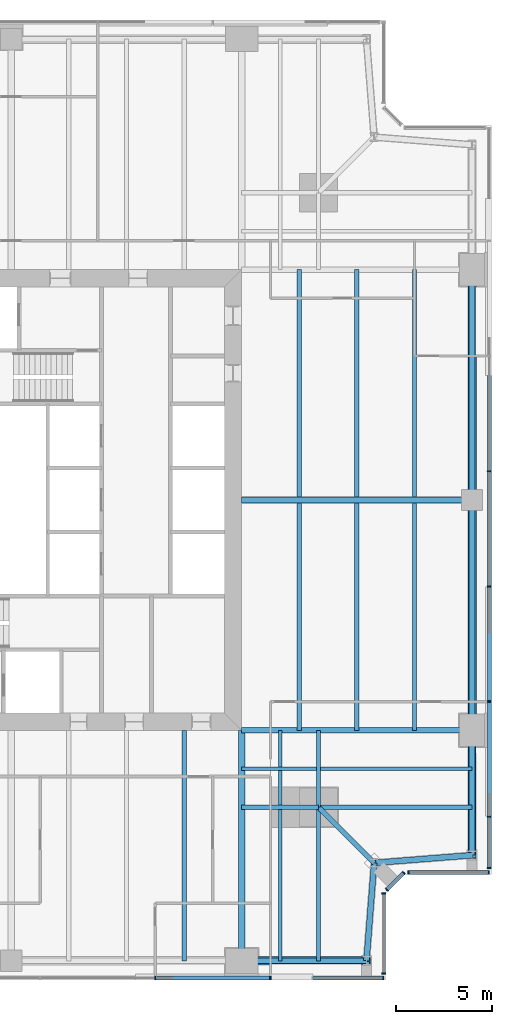
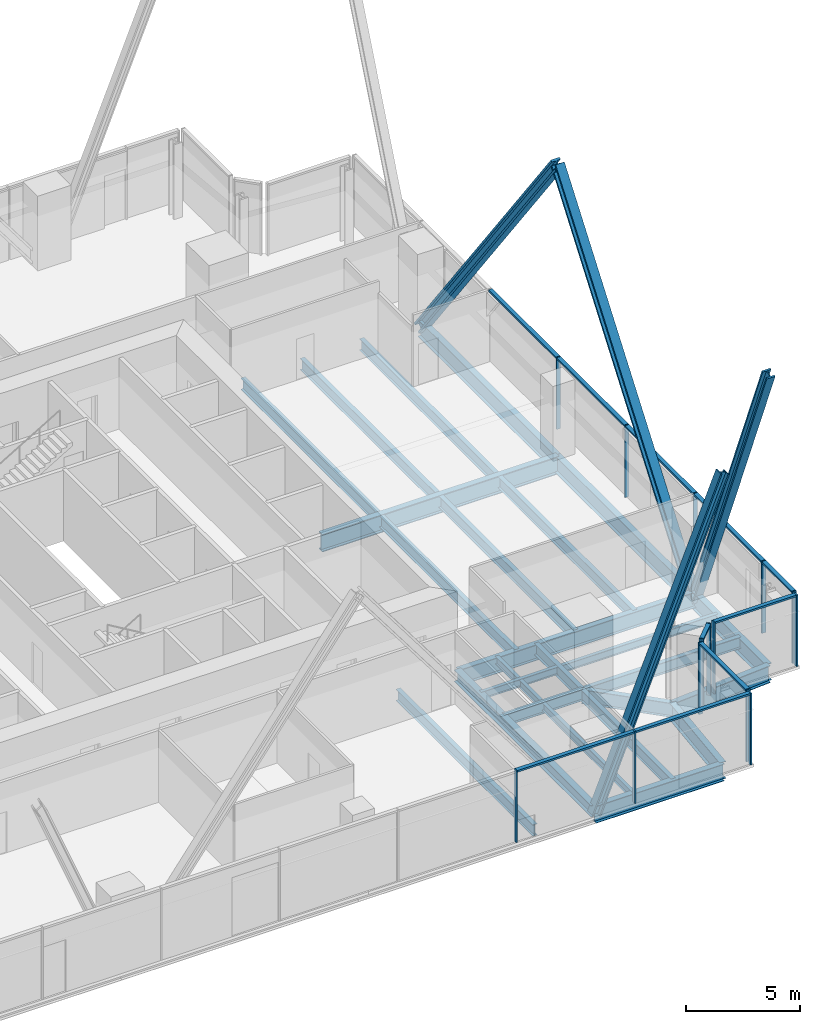
# One storey, part 5 of 13: 28 members, 26 beams, 5 elements without a shape of their own.
"""IFC4 building model written with IfcOpenShell, lengths in metres."""

from ifc_helpers import new_model, si_unit, direction, frame, origin, origin_2d, place, context, subcontext, project, spatial, rectangle, i_section, extrude, material, material_profile, profile_set, type_object, element, aggregate, save


model = new_model("IFC4")

# Units and contexts
model_context = context("Model", 3, precision=1e-05, world=origin(), true_north=direction((0.0, 1.0)))
body_context = subcontext(model_context, "Body", "Model", "MODEL_VIEW")
ifc_project = project(units=[si_unit("LENGTHUNIT", "METRE"), si_unit("AREAUNIT", "SQUARE_METRE"), si_unit("VOLUMEUNIT", "CUBIC_METRE"), si_unit("PLANEANGLEUNIT", "RADIAN"), si_unit("MASSUNIT", "GRAM", prefix="KILO")], contexts=[model_context])

# Site, building, storey
site_placement = place(None, origin())
site = spatial("IfcSite", under=ifc_project, at=site_placement, CompositionType="ELEMENT")
building_placement = place(site_placement, origin())
building = spatial("IfcBuilding", under=site, at=building_placement, Name="Fenwick Lantern Interchange", CompositionType="ELEMENT")
storey_placement = place(building_placement, frame((0.0, 0.0, 201.800048828125)))
storey = spatial("IfcBuildingStorey", under=building, at=storey_placement, Name="L47", CompositionType="ELEMENT", Elevation=201.800048828125)

# Beams
ifc_material_1 = material(Name="Steel ASTM A992 Grade 50", Category="steel")
ifc_material_profile_1 = material_profile(ifc_material_1, i_section(OverallWidth=0.3046875, OverallDepth=0.911865234375, WebThickness=0.015869140625, FlangeThickness=0.02392578125, at=origin_2d()), Name="W36X150")
ifc_profile_set_1 = profile_set([ifc_material_profile_1], Name="Steel ASTM A992 Grade 50")
beam_type_1 = type_object("IfcBeamType", Name="EDGE BEAM W36X150", PredefinedType="SPANDREL", material=ifc_profile_set_1)
beam_1_placement = place(storey_placement, frame((37.0, 1.0, -0.60595703125), z_axis=(1.0, 0.0, 0.0), x_axis=(0.0, 1.0, 0.0)))
element("IfcBeam", 1, at=beam_1_placement, inside=storey, type_object=beam_type_1, Name="L47/FR/S/EB4", PredefinedType="SPANDREL", context=body_context, shape_type="SweptSolid", body=[
    extrude(i_section(OverallWidth=0.3046875, OverallDepth=0.911865234375, WebThickness=0.015869140625, FlangeThickness=0.02392578125, at=origin_2d()), origin(), (0.0, 0.0, 1.0), 6.5),
])
for number, where, z_axis, x_axis, name in (
    (2, (43.5, 1.0, -0.60595703125), (0.078170784639, 0.99693998236, 0.0), (-0.99693998236, 0.078170784639, 0.0), "L47/FR/S/EBR1"),
    (3, (43.89990234375, 6.10009765625, -0.60595703125), (0.99693998236, 0.078170784639, 0.0), (-0.078170784639, 0.99693998236, 0.0), "L47/FR/S/EBR2"),
):
    element("IfcBeam", number, at=place(storey_placement, frame(where, z_axis=z_axis, x_axis=x_axis)), inside=storey, type_object=beam_type_1, Name=name, PredefinedType="SPANDREL", context=body_context, shape_type="SweptSolid", body=[
        extrude(i_section(OverallWidth=0.3046875, OverallDepth=0.911865234375, WebThickness=0.015869140625, FlangeThickness=0.02392578125, at=origin_2d()), origin(), (0.0, 0.0, 1.0), 5.11572265625),
    ])
beam_2_placement = place(storey_placement, frame((49.0, 6.5, -0.60595703125), z_axis=(0.0, 1.0, 0.0), x_axis=(-1.0, 0.0, 0.0)))
element("IfcBeam", 4, at=beam_2_placement, inside=storey, type_object=beam_type_1, Name="L47/FR/E/EB1", PredefinedType="SPANDREL", context=body_context, shape_type="SweptSolid", body=[
    extrude(i_section(OverallWidth=0.3046875, OverallDepth=0.911865234375, WebThickness=0.015869140625, FlangeThickness=0.02392578125, at=origin_2d()), origin(), (0.0, 0.0, 1.0), 6.5),
])
for number, where, z_axis, x_axis, name in (
    (5, (49.0, 13.0, -0.60595703125), (0.0, 1.0, 0.0), (-1.0, 0.0, 0.0), "L47/FR/E/EB2"),
    (6, (49.0, 25.0, -0.60595703125), (0.0, 1.0, 0.0), (-1.0, 0.0, 0.0), "L47/FR/E/EB3"),
):
    element("IfcBeam", number, at=place(storey_placement, frame(where, z_axis=z_axis, x_axis=x_axis)), inside=storey, type_object=beam_type_1, Name=name, PredefinedType="SPANDREL", context=body_context, shape_type="SweptSolid", body=[
        extrude(i_section(OverallWidth=0.3046875, OverallDepth=0.911865234375, WebThickness=0.015869140625, FlangeThickness=0.02392578125, at=origin_2d()), origin(), (0.0, 0.0, 1.0), 12.0),
    ])

# Members
ifc_material_profile_2 = material_profile(ifc_material_1, i_section(OverallWidth=0.424072265625, OverallDepth=0.47509765625, WebThickness=0.0478515625, FlangeThickness=0.0771484375, at=origin_2d()), Name="W14X426")
ifc_profile_set_2 = profile_set([ifc_material_profile_2], Name="Steel ASTM A992 Grade 50")
member_type_1 = type_object("IfcMemberType", Name="FACADE BRACE W14X426", PredefinedType="BRACE", material=ifc_profile_set_2)
for number, where, z_axis, x_axis, name in (
    (7, (37.0, 1.0, -0.60595703125), (0.376377046956, 0.0, 0.926466577122), (0.0, 1.0, 0.0), "L47/FB/S/BE"),
    (8, (49.0, 13.0, -0.60595703125), (0.0, -0.376377046956, 0.926466577122), (1.0, 0.0, 0.0), "L47/FB/E/AE"),
):
    element("IfcMember", number, at=place(storey_placement, frame(where, z_axis=z_axis, x_axis=x_axis)), inside=storey, type_object=member_type_1, Name=name, PredefinedType="BRACE", context=body_context, shape_type="SweptSolid", body=[
        extrude(i_section(OverallWidth=0.424072265625, OverallDepth=0.47509765625, WebThickness=0.0478515625, FlangeThickness=0.0771484375, at=origin_2d()), origin(), (0.0, 0.0, 1.0), 17.27001953125),
    ])
ifc_material_profile_3 = material_profile(ifc_material_1, i_section(OverallWidth=0.44189453125, OverallDepth=0.53076171875, WebThickness=0.06591796875, FlangeThickness=0.105712890625, at=origin_2d()), Name="W14X605")
ifc_profile_set_3 = profile_set([ifc_material_profile_3], Name="Steel ASTM A992 Grade 50")
member_type_2 = type_object("IfcMemberType", Name="FACADE BRACE W14X605", PredefinedType="BRACE", material=ifc_profile_set_3)
for number, where, z_axis, x_axis, name in (
    (9, (49.0, 13.0, -0.60595703125), (0.0, 0.6, 0.8), (-1.0, 0.0, 0.0), "L47/FB/E/A"),
    (10, (49.0, 37.0, -0.60595703125), (0.0, -0.6, 0.8), (1.0, 0.0, 0.0), "L47/FB/E/B"),
):
    element("IfcMember", number, at=place(storey_placement, frame(where, z_axis=z_axis, x_axis=x_axis)), inside=storey, type_object=member_type_2, Name=name, PredefinedType="BRACE", context=body_context, shape_type="SweptSolid", body=[
        extrude(i_section(OverallWidth=0.44189453125, OverallDepth=0.53076171875, WebThickness=0.06591796875, FlangeThickness=0.105712890625, at=origin_2d()), origin(), (0.0, 0.0, 1.0), 20.0),
    ])

# Beams
ifc_material_profile_4 = material_profile(ifc_material_1, i_section(OverallWidth=0.22900390625, OverallDepth=0.612060546875, WebThickness=0.011962890625, FlangeThickness=0.01953125, at=origin_2d()), Name="W24X84")
ifc_profile_set_4 = profile_set([ifc_material_profile_4], Name="Steel ASTM A992 Grade 50")
beam_type_2 = type_object("IfcBeamType", Name="FLOOR BEAM W24X84", PredefinedType="BEAM", material=ifc_profile_set_4)
beam_3_placement = place(storey_placement, frame((34.0, 1.0, -0.4560546875), z_axis=(0.0, 1.0, 0.0), x_axis=(-1.0, 0.0, 0.0)))
element("IfcBeam", 11, at=beam_3_placement, inside=storey, type_object=beam_type_2, Name="L47/FR/S/R08", PredefinedType="BEAM", context=body_context, shape_type="SweptSolid", body=[
    extrude(i_section(OverallWidth=0.22900390625, OverallDepth=0.612060546875, WebThickness=0.011962890625, FlangeThickness=0.01953125, at=origin_2d()), origin(), (0.0, 0.0, 1.0), 12.0),
])
for number, where, z_axis, x_axis, name in (
    (12, (46.0, 13.0, -0.4560546875), (0.0, 1.0, 0.0), (-1.0, 0.0, 0.0), "L47/FR/E/B01"),
    (13, (43.0, 13.0, -0.4560546875), (0.0, 1.0, 0.0), (-1.0, 0.0, 0.0), "L47/FR/E/B02"),
    (14, (40.0, 13.0, -0.4560546875), (0.0, 1.0, 0.0), (-1.0, 0.0, 0.0), "L47/FR/E/B03"),
    (15, (46.0, 25.155029296875, -0.4560546875), (0.0, 1.0, 0.0), (-1.0, 0.0, 0.0), "L47/FR/E/B04"),
    (16, (43.0, 25.155029296875, -0.4560546875), (0.0, 1.0, 0.0), (-1.0, 0.0, 0.0), "L47/FR/E/B05"),
    (17, (40.0, 25.155029296875, -0.4560546875), (0.0, 1.0, 0.0), (-1.0, 0.0, 0.0), "L47/FR/E/B06"),
):
    element("IfcBeam", number, at=place(storey_placement, frame(where, z_axis=z_axis, x_axis=x_axis)), inside=storey, type_object=beam_type_2, Name=name, PredefinedType="BEAM", context=body_context, shape_type="SweptSolid", body=[
        extrude(i_section(OverallWidth=0.22900390625, OverallDepth=0.612060546875, WebThickness=0.011962890625, FlangeThickness=0.01953125, at=origin_2d()), origin(), (0.0, 0.0, 1.0), 11.844970703125),
    ])
ifc_material_profile_5 = material_profile(ifc_material_1, i_section(OverallWidth=0.177734375, OverallDepth=0.406494140625, WebThickness=0.0078125, FlangeThickness=0.012939453125, at=origin_2d()), Name="W16X40")
ifc_profile_set_5 = profile_set([ifc_material_profile_5], Name="Steel ASTM A992 Grade 50")
beam_type_3 = type_object("IfcBeamType", Name="INFILL BEAM W16X40", PredefinedType="JOIST", material=ifc_profile_set_5)
beam_4_placement = place(storey_placement, frame((49.0, 11.0, -0.353271484375), z_axis=(-1.0, 0.0, 0.0), x_axis=(0.0, -1.0, 0.0)))
element("IfcBeam", 18, at=beam_4_placement, inside=storey, type_object=beam_type_3, Name="L47/FR/E/J1", PredefinedType="JOIST", context=body_context, shape_type="SweptSolid", body=[
    extrude(i_section(OverallWidth=0.177734375, OverallDepth=0.406494140625, WebThickness=0.0078125, FlangeThickness=0.012939453125, at=origin_2d()), origin(), (0.0, 0.0, 1.0), 7.885498046875),
])
beam_5_placement = place(storey_placement, frame((40.885498046875, 11.0, -0.353271484375), z_axis=(-1.0, 0.0, 0.0), x_axis=(0.0, -1.0, 0.0)))
element("IfcBeam", 19, at=beam_5_placement, inside=storey, type_object=beam_type_3, Name="L47/FR/E/J2", PredefinedType="JOIST", context=body_context, shape_type="SweptSolid", body=[
    extrude(i_section(OverallWidth=0.177734375, OverallDepth=0.406494140625, WebThickness=0.0078125, FlangeThickness=0.012939453125, at=origin_2d()), origin(), (0.0, 0.0, 1.0), 3.885498046875),
])
beam_6_placement = place(storey_placement, frame((39.0, 1.0, -0.353271484375), z_axis=(0.0, 1.0, 0.0), x_axis=(-1.0, 0.0, 0.0)))
element("IfcBeam", 20, at=beam_6_placement, inside=storey, type_object=beam_type_3, Name="L47/FR/E/J3", PredefinedType="JOIST", context=body_context, shape_type="SweptSolid", body=[
    extrude(i_section(OverallWidth=0.177734375, OverallDepth=0.406494140625, WebThickness=0.0078125, FlangeThickness=0.012939453125, at=origin_2d()), origin(), (0.0, 0.0, 1.0), 7.885498046875),
])
beam_7_placement = place(storey_placement, frame((39.0, 9.114501953125, -0.353271484375), z_axis=(0.0, 1.0, 0.0), x_axis=(-1.0, 0.0, 0.0)))
element("IfcBeam", 21, at=beam_7_placement, inside=storey, type_object=beam_type_3, Name="L47/FR/E/J4", PredefinedType="JOIST", context=body_context, shape_type="SweptSolid", body=[
    extrude(i_section(OverallWidth=0.177734375, OverallDepth=0.406494140625, WebThickness=0.0078125, FlangeThickness=0.012939453125, at=origin_2d()), origin(), (0.0, 0.0, 1.0), 1.796630859375),
])
beam_8_placement = place(storey_placement, frame((39.0, 11.0888671875, -0.353271484375), z_axis=(0.0, 1.0, 0.0), x_axis=(-1.0, 0.0, 0.0)))
element("IfcBeam", 22, at=beam_8_placement, inside=storey, type_object=beam_type_3, Name="L47/FR/E/J5", PredefinedType="JOIST", context=body_context, shape_type="SweptSolid", body=[
    extrude(i_section(OverallWidth=0.177734375, OverallDepth=0.406494140625, WebThickness=0.0078125, FlangeThickness=0.012939453125, at=origin_2d()), origin(), (0.0, 0.0, 1.0), 1.9111328125),
])
ifc_material_profile_6 = material_profile(ifc_material_1, i_section(OverallWidth=0.22900390625, OverallDepth=0.612060546875, WebThickness=0.011962890625, FlangeThickness=0.01953125, at=origin_2d()), Name="W24X84")
ifc_profile_set_6 = profile_set([ifc_material_profile_6], Name="Steel ASTM A992 Grade 50")
beam_type_4 = type_object("IfcBeamType", Name="MEGA COLUMN BEAM W24X84", PredefinedType="BEAM", material=ifc_profile_set_6)
for number, where, z_axis, x_axis, name in (
    (23, (41.0, 9.0, -0.4560546875), (1.0, 0.0, 0.0), (0.0, 1.0, 0.0), "L47/FR/E/MB1"),
    (24, (41.0, 9.0, -0.4560546875), (0.0, -1.0, 0.0), (1.0, 0.0, 0.0), "L47/FR/E/MB2"),
):
    element("IfcBeam", number, at=place(storey_placement, frame(where, z_axis=z_axis, x_axis=x_axis)), inside=storey, type_object=beam_type_4, Name=name, PredefinedType="BEAM", context=body_context, shape_type="SweptSolid", body=[
        extrude(i_section(OverallWidth=0.22900390625, OverallDepth=0.612060546875, WebThickness=0.011962890625, FlangeThickness=0.01953125, at=origin_2d()), origin(), (0.0, 0.0, 1.0), 8.0),
    ])
for number, where, z_axis, x_axis, name in (
    (25, (41.0, 9.0, -0.4560546875), (0.0, 1.0, 0.0), (-1.0, 0.0, 0.0), "L47/FR/E/MB3"),
    (26, (41.0, 9.0, -0.4560546875), (-1.0, 0.0, 0.0), (0.0, -1.0, 0.0), "L47/FR/E/MB4"),
):
    element("IfcBeam", number, at=place(storey_placement, frame(where, z_axis=z_axis, x_axis=x_axis)), inside=storey, type_object=beam_type_4, Name=name, PredefinedType="BEAM", context=body_context, shape_type="SweptSolid", body=[
        extrude(i_section(OverallWidth=0.22900390625, OverallDepth=0.612060546875, WebThickness=0.011962890625, FlangeThickness=0.01953125, at=origin_2d()), origin(), (0.0, 0.0, 1.0), 4.0),
    ])
ifc_material_profile_7 = material_profile(ifc_material_1, i_section(OverallWidth=0.32763671875, OverallDepth=0.622314453125, WebThickness=0.015380859375, FlangeThickness=0.0244140625, at=origin_2d()), Name="W24X131")
ifc_profile_set_7 = profile_set([ifc_material_profile_7], Name="Steel ASTM A992 Grade 50")
beam_type_5 = type_object("IfcBeamType", Name="MOMENT-CONNECTED GIRDER W24X131", PredefinedType="BEAM", material=ifc_profile_set_7)
beam_9_placement = place(storey_placement, frame((37.0, 1.0, -0.461181640625), z_axis=(0.0, 1.0, 0.0), x_axis=(-1.0, 0.0, 0.0)))
element("IfcBeam", 27, at=beam_9_placement, inside=storey, type_object=beam_type_5, Name="L47/FR/S/R09", PredefinedType="BEAM", context=body_context, shape_type="SweptSolid", body=[
    extrude(i_section(OverallWidth=0.32763671875, OverallDepth=0.622314453125, WebThickness=0.015380859375, FlangeThickness=0.0244140625, at=origin_2d()), origin(), (0.0, 0.0, 1.0), 12.0),
])
ifc_material_profile_8 = material_profile(ifc_material_1, i_section(OverallWidth=0.2919921875, OverallDepth=0.845703125, WebThickness=0.015380859375, FlangeThickness=0.0244140625, at=origin_2d()), Name="W33X141")
ifc_profile_set_8 = profile_set([ifc_material_profile_8], Name="Steel ASTM A992 Grade 50")
beam_type_6 = type_object("IfcBeamType", Name="MOMENT-CONNECTED GIRDER W33X141", PredefinedType="BEAM", material=ifc_profile_set_8)
beam_10_placement = place(storey_placement, frame((49.0, 13.0, -0.572998046875), z_axis=(-1.0, 0.0, 0.0), x_axis=(0.0, -1.0, 0.0)))
element("IfcBeam", 28, at=beam_10_placement, inside=storey, type_object=beam_type_6, Name="L47/FR/E/R01", PredefinedType="BEAM", context=body_context, shape_type="SweptSolid", body=[
    extrude(i_section(OverallWidth=0.2919921875, OverallDepth=0.845703125, WebThickness=0.015380859375, FlangeThickness=0.0244140625, at=origin_2d()), origin(), (0.0, 0.0, 1.0), 12.0),
])
ifc_material_profile_9 = material_profile(ifc_material_1, i_section(OverallWidth=0.309814453125, OverallDepth=0.949951171875, WebThickness=0.0244140625, FlangeThickness=0.0439453125, at=origin_2d()), Name="W36X256")
ifc_profile_set_9 = profile_set([ifc_material_profile_9], Name="Steel ASTM A992 Grade 50")
beam_type_7 = type_object("IfcBeamType", Name="MOMENT-CONNECTED GIRDER W36X256", PredefinedType="BEAM", material=ifc_profile_set_9)
beam_11_placement = place(storey_placement, frame((49.0, 25.0, -0.625), z_axis=(-1.0, 0.0, 0.0), x_axis=(0.0, -1.0, 0.0)))
element("IfcBeam", 29, at=beam_11_placement, inside=storey, type_object=beam_type_7, Name="L47/FR/E/R02", PredefinedType="BEAM", context=body_context, shape_type="SweptSolid", body=[
    extrude(i_section(OverallWidth=0.309814453125, OverallDepth=0.949951171875, WebThickness=0.0244140625, FlangeThickness=0.0439453125, at=origin_2d()), origin(), (0.0, 0.0, 1.0), 12.0),
])
ifc_material_profile_10 = material_profile(ifc_material_1, i_section(OverallWidth=0.2666015625, OverallDepth=0.7568359375, WebThickness=0.013916015625, FlangeThickness=0.019287109375, at=origin_2d()), Name="W30X108")
ifc_profile_set_10 = profile_set([ifc_material_profile_10], Name="Steel ASTM A992 Grade 50")
beam_type_8 = type_object("IfcBeamType", Name="NOTCH BEAM W30X108", PredefinedType="BEAM", material=ifc_profile_set_10)
beam_12_placement = place(storey_placement, frame((41.0, 9.0, -0.528564453125), z_axis=(0.707106781187, -0.707106781187, 0.0), x_axis=(0.707106781187, 0.707106781187, 0.0)))
element("IfcBeam", 30, at=beam_12_placement, inside=storey, type_object=beam_type_8, Name="L47/FR/E/TG", PredefinedType="BEAM", context=body_context, shape_type="SweptSolid", body=[
    extrude(i_section(OverallWidth=0.2666015625, OverallDepth=0.7568359375, WebThickness=0.013916015625, FlangeThickness=0.019287109375, at=origin_2d()), origin(), (0.0, 0.0, 1.0), 4.10107421875),
])

# Curtain wall, members
ifc_material_2 = material(Name="Aluminium curtain wall frame", Category="aluminium")
curtain_wall_type = type_object("IfcCurtainWallType", Name="OFFICE CURTAIN WALL", PredefinedType="USERDEFINED", material=ifc_material_2)
curtain_wall_1_placement = place(storey_placement, origin())
curtain_wall_1 = element("IfcCurtainWall", 31, at=curtain_wall_1_placement, inside=storey, type_object=curtain_wall_type, Name="Office curtain wall 01", ObjectType="OFFICE CURTAIN WALL", PredefinedType="USERDEFINED")
ifc_material_3 = material(Name="Aluminium extrusion", Category="aluminium")
ifc_material_profile_11 = material_profile(ifc_material_3, rectangle(XDim=0.199951171875, YDim=0.06494140625, at=origin_2d()), Name="OFFICE CURTAIN WALL MULLION 65 X 200")
ifc_profile_set_11 = profile_set([ifc_material_profile_11], Name="Aluminium extrusion")
member_type_3 = type_object("IfcMemberType", Name="OFFICE CURTAIN WALL MULLION 65 X 200", PredefinedType="MULLION", material=ifc_profile_set_11)
member_1_placement = place(storey_placement, frame((32.5, 0.10009765625, 0.0), z_axis=(0.0, 0.0, 1.0), x_axis=(0.0, 1.0, 0.0)))
member_1 = element("IfcMember", 32, at=member_1_placement, type_object=member_type_3, Name="L47/CW/01/M05", PredefinedType="MULLION", context=body_context, shape_type="SweptSolid", body=[
    extrude(rectangle(XDim=0.199951171875, YDim=0.06494140625, at=origin_2d()), origin(), (0.0, 0.0, 1.0), 3.849853515625),
])
member_2_placement = place(storey_placement, frame((38.5, 0.10009765625, 0.0), z_axis=(0.0, 0.0, 1.0), x_axis=(0.0, 1.0, 0.0)))
member_2 = element("IfcMember", 33, at=member_2_placement, type_object=member_type_3, Name="L47/CW/01/M06", PredefinedType="MULLION", context=body_context, shape_type="SweptSolid", body=[
    extrude(rectangle(XDim=0.199951171875, YDim=0.06494140625, at=origin_2d()), origin(), (0.0, 0.0, 1.0), 3.849853515625),
])
member_3_placement = place(storey_placement, frame((44.367431640625, 0.10009765625, 0.0), z_axis=(0.0, 0.0, 1.0), x_axis=(0.0, 1.0, 0.0)))
member_3 = element("IfcMember", 34, at=member_3_placement, type_object=member_type_3, Name="L47/CW/01/M07", PredefinedType="MULLION", context=body_context, shape_type="SweptSolid", body=[
    extrude(rectangle(XDim=0.199951171875, YDim=0.06494140625, at=origin_2d()), origin(), (0.0, 0.0, 1.0), 3.849853515625),
])

curtain_wall_2_placement = place(storey_placement, origin())
curtain_wall_2 = element("IfcCurtainWall", 35, at=curtain_wall_2_placement, inside=storey, type_object=curtain_wall_type, Name="Office curtain wall 02", ObjectType="OFFICE CURTAIN WALL", PredefinedType="USERDEFINED")
member_4_placement = place(storey_placement, frame((44.39990234375, 0.33251953125, 0.0), z_axis=(0.0, 0.0, 1.0), x_axis=(-1.0, 0.0, 0.0)))
member_4 = element("IfcMember", 36, at=member_4_placement, type_object=member_type_3, Name="L47/CW/02/M00", PredefinedType="MULLION", context=body_context, shape_type="SweptSolid", body=[
    extrude(rectangle(XDim=0.199951171875, YDim=0.06494140625, at=origin_2d()), origin(), (0.0, 0.0, 1.0), 3.849853515625),
])
member_5_placement = place(storey_placement, frame((44.39990234375, 4.509033203125, 0.0), z_axis=(0.0, 0.0, 1.0), x_axis=(-1.0, 0.0, 0.0)))
member_5 = element("IfcMember", 37, at=member_5_placement, type_object=member_type_3, Name="L47/CW/02/M01", PredefinedType="MULLION", context=body_context, shape_type="SweptSolid", body=[
    extrude(rectangle(XDim=0.199951171875, YDim=0.06494140625, at=origin_2d()), origin(), (0.0, 0.0, 1.0), 3.849853515625),
])

curtain_wall_3_placement = place(storey_placement, origin())
curtain_wall_3 = element("IfcCurtainWall", 38, at=curtain_wall_3_placement, inside=storey, type_object=curtain_wall_type, Name="Office curtain wall 03", ObjectType="OFFICE CURTAIN WALL", PredefinedType="USERDEFINED")
member_6_placement = place(storey_placement, frame((44.564453125, 4.705810546875, 0.0), z_axis=(0.0, 0.0, 1.0), x_axis=(-0.707106781187, 0.707106781187, 0.0)))
member_6 = element("IfcMember", 39, at=member_6_placement, type_object=member_type_3, Name="L47/CW/03/M00", PredefinedType="MULLION", context=body_context, shape_type="SweptSolid", body=[
    extrude(rectangle(XDim=0.199951171875, YDim=0.06494140625, at=origin_2d()), origin(), (0.0, 0.0, 1.0), 3.849853515625),
])
member_7_placement = place(storey_placement, frame((45.435546875, 5.576904296875, 0.0), z_axis=(0.0, 0.0, 1.0), x_axis=(-0.707106781187, 0.707106781187, 0.0)))
member_7 = element("IfcMember", 40, at=member_7_placement, type_object=member_type_3, Name="L47/CW/03/M01", PredefinedType="MULLION", context=body_context, shape_type="SweptSolid", body=[
    extrude(rectangle(XDim=0.199951171875, YDim=0.06494140625, at=origin_2d()), origin(), (0.0, 0.0, 1.0), 3.849853515625),
])

curtain_wall_4_placement = place(storey_placement, origin())
curtain_wall_4 = element("IfcCurtainWall", 41, at=curtain_wall_4_placement, inside=storey, type_object=curtain_wall_type, Name="Office curtain wall 04", ObjectType="OFFICE CURTAIN WALL", PredefinedType="USERDEFINED")
member_8_placement = place(storey_placement, frame((45.691162109375, 5.60009765625, 0.0), z_axis=(0.0, 0.0, 1.0), x_axis=(0.0, 1.0, 0.0)))
member_8 = element("IfcMember", 42, at=member_8_placement, type_object=member_type_3, Name="L47/CW/04/M00", PredefinedType="MULLION", context=body_context, shape_type="SweptSolid", body=[
    extrude(rectangle(XDim=0.199951171875, YDim=0.06494140625, at=origin_2d()), origin(), (0.0, 0.0, 1.0), 3.849853515625),
])
member_9_placement = place(storey_placement, frame((49.867431640625, 5.60009765625, 0.0), z_axis=(0.0, 0.0, 1.0), x_axis=(0.0, 1.0, 0.0)))
member_9 = element("IfcMember", 43, at=member_9_placement, type_object=member_type_3, Name="L47/CW/04/M01", PredefinedType="MULLION", context=body_context, shape_type="SweptSolid", body=[
    extrude(rectangle(XDim=0.199951171875, YDim=0.06494140625, at=origin_2d()), origin(), (0.0, 0.0, 1.0), 3.849853515625),
])

curtain_wall_5_placement = place(storey_placement, origin())
curtain_wall_5 = element("IfcCurtainWall", 44, at=curtain_wall_5_placement, inside=storey, type_object=curtain_wall_type, Name="Office curtain wall 05", ObjectType="OFFICE CURTAIN WALL", PredefinedType="USERDEFINED")
member_10_placement = place(storey_placement, frame((49.89990234375, 5.83251953125, 0.0), z_axis=(0.0, 0.0, 1.0), x_axis=(-1.0, 0.0, 0.0)))
member_10 = element("IfcMember", 45, at=member_10_placement, type_object=member_type_3, Name="L47/CW/05/M00", PredefinedType="MULLION", context=body_context, shape_type="SweptSolid", body=[
    extrude(rectangle(XDim=0.199951171875, YDim=0.06494140625, at=origin_2d()), origin(), (0.0, 0.0, 1.0), 3.849853515625),
])
member_11_placement = place(storey_placement, frame((49.89990234375, 8.5, 0.0), z_axis=(0.0, 0.0, 1.0), x_axis=(-1.0, 0.0, 0.0)))
member_11 = element("IfcMember", 46, at=member_11_placement, type_object=member_type_3, Name="L47/CW/05/M01", PredefinedType="MULLION", context=body_context, shape_type="SweptSolid", body=[
    extrude(rectangle(XDim=0.199951171875, YDim=0.06494140625, at=origin_2d()), origin(), (0.0, 0.0, 1.0), 3.849853515625),
])
member_12_placement = place(storey_placement, frame((49.89990234375, 14.5, 0.0), z_axis=(0.0, 0.0, 1.0), x_axis=(-1.0, 0.0, 0.0)))
member_12 = element("IfcMember", 47, at=member_12_placement, type_object=member_type_3, Name="L47/CW/05/M02", PredefinedType="MULLION", context=body_context, shape_type="SweptSolid", body=[
    extrude(rectangle(XDim=0.199951171875, YDim=0.06494140625, at=origin_2d()), origin(), (0.0, 0.0, 1.0), 3.849853515625),
])
member_13_placement = place(storey_placement, frame((49.89990234375, 20.5, 0.0), z_axis=(0.0, 0.0, 1.0), x_axis=(-1.0, 0.0, 0.0)))
member_13 = element("IfcMember", 48, at=member_13_placement, type_object=member_type_3, Name="L47/CW/05/M03", PredefinedType="MULLION", context=body_context, shape_type="SweptSolid", body=[
    extrude(rectangle(XDim=0.199951171875, YDim=0.06494140625, at=origin_2d()), origin(), (0.0, 0.0, 1.0), 3.849853515625),
])
member_14_placement = place(storey_placement, frame((49.89990234375, 26.5, 0.0), z_axis=(0.0, 0.0, 1.0), x_axis=(-1.0, 0.0, 0.0)))
member_14 = element("IfcMember", 49, at=member_14_placement, type_object=member_type_3, Name="L47/CW/05/M04", PredefinedType="MULLION", context=body_context, shape_type="SweptSolid", body=[
    extrude(rectangle(XDim=0.199951171875, YDim=0.06494140625, at=origin_2d()), origin(), (0.0, 0.0, 1.0), 3.849853515625),
])

# Member
ifc_material_profile_12 = material_profile(ifc_material_3, rectangle(XDim=0.199951171875, YDim=0.10009765625, at=origin_2d()), Name="OFFICE CURTAIN WALL TRANSOM 100 X 200")
ifc_profile_set_12 = profile_set([ifc_material_profile_12], Name="Aluminium extrusion")
member_type_4 = type_object("IfcMemberType", Name="OFFICE CURTAIN WALL TRANSOM 100 X 200", PredefinedType="MULLION", material=ifc_profile_set_12)
member_15_placement = place(storey_placement, frame((32.532470703125, 0.10009765625, 3.800048828125), z_axis=(1.0, 0.0, 0.0), x_axis=(0.0, 1.0, 0.0)))
member_15 = element("IfcMember", 50, at=member_15_placement, type_object=member_type_4, Name="L47/CW/01/T05", PredefinedType="MULLION", context=body_context, shape_type="SweptSolid", body=[
    extrude(rectangle(XDim=0.199951171875, YDim=0.10009765625, at=origin_2d()), origin(), (0.0, 0.0, 1.0), 5.93505859375),
])

member_16_placement = place(storey_placement, frame((38.532470703125, 0.10009765625, 3.800048828125), z_axis=(1.0, 0.0, 0.0), x_axis=(0.0, 1.0, 0.0)))
member_16 = element("IfcMember", 51, at=member_16_placement, type_object=member_type_4, Name="L47/CW/01/T06", PredefinedType="MULLION", context=body_context, shape_type="SweptSolid", body=[
    extrude(rectangle(XDim=0.199951171875, YDim=0.10009765625, at=origin_2d()), origin(), (0.0, 0.0, 1.0), 5.802490234375),
])

aggregate(curtain_wall_1, [member_1, member_2, member_3, member_15, member_16])

member_17_placement = place(storey_placement, frame((44.39990234375, 0.364990234375, 3.800048828125), z_axis=(0.0, 1.0, 0.0), x_axis=(-1.0, 0.0, 0.0)))
member_17 = element("IfcMember", 52, at=member_17_placement, type_object=member_type_4, Name="L47/CW/02/T00", PredefinedType="MULLION", context=body_context, shape_type="SweptSolid", body=[
    extrude(rectangle(XDim=0.199951171875, YDim=0.10009765625, at=origin_2d()), origin(), (0.0, 0.0, 1.0), 4.111328125),
])

aggregate(curtain_wall_2, [member_4, member_5, member_17])

member_18_placement = place(storey_placement, frame((44.58740234375, 4.728759765625, 3.800048828125), z_axis=(0.707106781187, 0.707106781187, 0.0), x_axis=(-0.707106781187, 0.707106781187, 0.0)))
member_18 = element("IfcMember", 53, at=member_18_placement, type_object=member_type_4, Name="L47/CW/03/T00", PredefinedType="MULLION", context=body_context, shape_type="SweptSolid", body=[
    extrude(rectangle(XDim=0.199951171875, YDim=0.10009765625, at=origin_2d()), origin(), (0.0, 0.0, 1.0), 1.1669921875),
])

aggregate(curtain_wall_3, [member_6, member_7, member_18])

member_19_placement = place(storey_placement, frame((45.7236328125, 5.60009765625, 3.800048828125), z_axis=(1.0, 0.0, 0.0), x_axis=(0.0, 1.0, 0.0)))
member_19 = element("IfcMember", 54, at=member_19_placement, type_object=member_type_4, Name="L47/CW/04/T00", PredefinedType="MULLION", context=body_context, shape_type="SweptSolid", body=[
    extrude(rectangle(XDim=0.199951171875, YDim=0.10009765625, at=origin_2d()), origin(), (0.0, 0.0, 1.0), 4.111328125),
])

aggregate(curtain_wall_4, [member_8, member_9, member_19])

member_20_placement = place(storey_placement, frame((49.89990234375, 5.864990234375, 3.800048828125), z_axis=(0.0, 1.0, 0.0), x_axis=(-1.0, 0.0, 0.0)))
member_20 = element("IfcMember", 55, at=member_20_placement, type_object=member_type_4, Name="L47/CW/05/T00", PredefinedType="MULLION", context=body_context, shape_type="SweptSolid", body=[
    extrude(rectangle(XDim=0.199951171875, YDim=0.10009765625, at=origin_2d()), origin(), (0.0, 0.0, 1.0), 2.6025390625),
])

member_21_placement = place(storey_placement, frame((49.89990234375, 8.532470703125, 3.800048828125), z_axis=(0.0, 1.0, 0.0), x_axis=(-1.0, 0.0, 0.0)))
member_21 = element("IfcMember", 56, at=member_21_placement, type_object=member_type_4, Name="L47/CW/05/T01", PredefinedType="MULLION", context=body_context, shape_type="SweptSolid", body=[
    extrude(rectangle(XDim=0.199951171875, YDim=0.10009765625, at=origin_2d()), origin(), (0.0, 0.0, 1.0), 5.93505859375),
])

member_22_placement = place(storey_placement, frame((49.89990234375, 14.532470703125, 3.800048828125), z_axis=(0.0, 1.0, 0.0), x_axis=(-1.0, 0.0, 0.0)))
member_22 = element("IfcMember", 57, at=member_22_placement, type_object=member_type_4, Name="L47/CW/05/T02", PredefinedType="MULLION", context=body_context, shape_type="SweptSolid", body=[
    extrude(rectangle(XDim=0.199951171875, YDim=0.10009765625, at=origin_2d()), origin(), (0.0, 0.0, 1.0), 5.93505859375),
])

member_23_placement = place(storey_placement, frame((49.89990234375, 20.532470703125, 3.800048828125), z_axis=(0.0, 1.0, 0.0), x_axis=(-1.0, 0.0, 0.0)))
member_23 = element("IfcMember", 58, at=member_23_placement, type_object=member_type_4, Name="L47/CW/05/T03", PredefinedType="MULLION", context=body_context, shape_type="SweptSolid", body=[
    extrude(rectangle(XDim=0.199951171875, YDim=0.10009765625, at=origin_2d()), origin(), (0.0, 0.0, 1.0), 5.93505859375),
])

member_24_placement = place(storey_placement, frame((49.89990234375, 26.532470703125, 3.800048828125), z_axis=(0.0, 1.0, 0.0), x_axis=(-1.0, 0.0, 0.0)))
member_24 = element("IfcMember", 59, at=member_24_placement, type_object=member_type_4, Name="L47/CW/05/T04", PredefinedType="MULLION", context=body_context, shape_type="SweptSolid", body=[
    extrude(rectangle(XDim=0.199951171875, YDim=0.10009765625, at=origin_2d()), origin(), (0.0, 0.0, 1.0), 5.93505859375),
])

aggregate(curtain_wall_5, [member_10, member_11, member_12, member_13, member_14, member_20, member_21, member_22, member_23, member_24])

save(model, "model.ifc")
